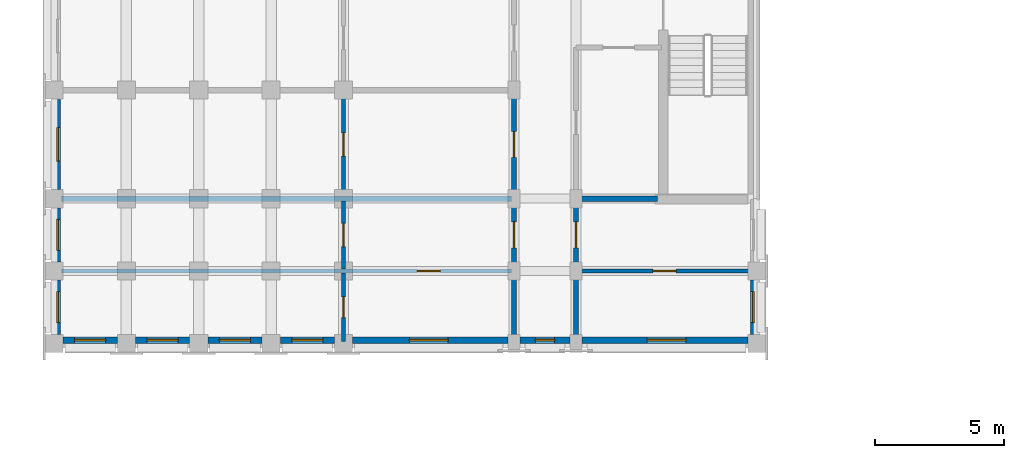
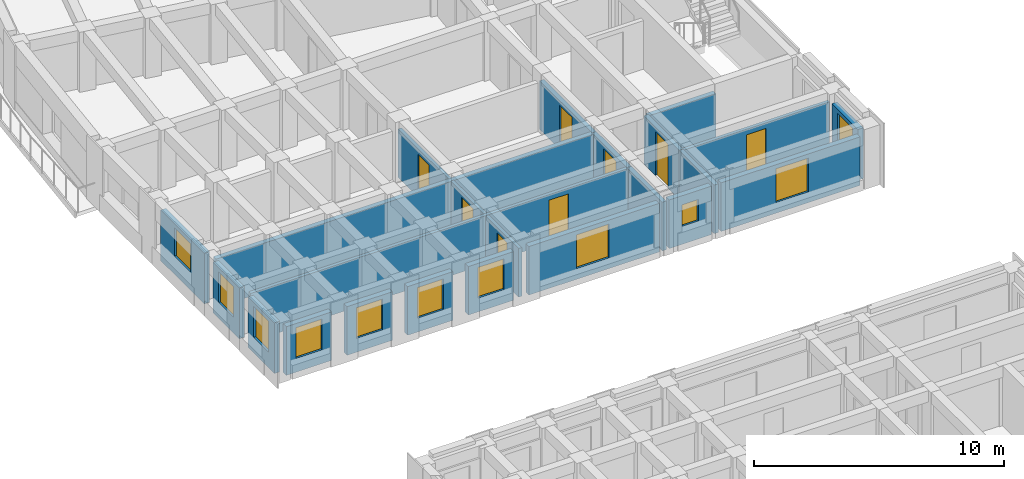
# One storey, part 23 of 57: 23 walls, 11 windows, 8 doors, 19 openings.
"""IFC4 building model written with IfcOpenShell, lengths in metres."""

from ifc_helpers import new_model, si_unit, direction, frame, frame_2d, origin, place, context, subcontext, project, spatial, rectangle, extrude, material, layer, layer_set, type_object, element, fill, save


model = new_model("IFC4")

# Units and contexts
model_context = context("Model", 3, precision=1e-05, world=origin(), true_north=direction((0.0, 1.0)))
body_context = subcontext(model_context, "Body", "Model", "MODEL_VIEW")
ifc_project = project(units=[si_unit("LENGTHUNIT", "METRE"), si_unit("AREAUNIT", "SQUARE_METRE"), si_unit("VOLUMEUNIT", "CUBIC_METRE"), si_unit("PLANEANGLEUNIT", "RADIAN"), si_unit("MASSUNIT", "GRAM", prefix="KILO")], contexts=[model_context])

# Site, building, storey
site_placement = place(None, origin())
site = spatial("IfcSite", under=ifc_project, at=site_placement, CompositionType="ELEMENT")
building_placement = place(site_placement, origin())
building = spatial("IfcBuilding", under=site, at=building_placement, Name="Kiranvali Square Residences", CompositionType="ELEMENT")
storey_placement = place(building_placement, frame((0.0, 0.0, 18.14990234375)))
storey = spatial("IfcBuildingStorey", under=building, at=storey_placement, Name="L05", CompositionType="ELEMENT", Elevation=18.14990234375)

# Wall, opening, door
ifc_material_1 = material(Name="Autoclaved aerated concrete blockwork masonry", Category="masonry")
ifc_layer_1 = layer(ifc_material_1, 0.199951171875)
ifc_layer_set_1 = layer_set([ifc_layer_1], Name="Autoclaved aerated concrete blockwork masonry")
wall_type_1 = type_object("IfcWallType", Name="WL-COR-200", PredefinedType="STANDARD", material=ifc_layer_set_1)
wall_1_placement = place(storey_placement, frame((20.0, 83.60009765625, 0.0), z_axis=(0.0, 0.0, 1.0), x_axis=(0.0, -1.0, 0.0)))
wall_1 = element("IfcWall", 1, at=wall_1_placement, inside=storey, type_object=wall_type_1, Name="L05 architectural wall WL-L05-A-A2CF-C1", PredefinedType="STANDARD", context=body_context, shape_type="SweptSolid", body=[
    extrude(rectangle(XDim=4.2001953125, YDim=0.199951171875, at=frame_2d((2.10009765625, 0.0))), origin(), (0.0, 0.0, 1.0), 2.3720703125),
])
opening_1_placement = place(wall_1_placement, frame((1.60009765625, 0.0, 0.0)))
opening_1 = element("IfcOpeningElement", 2, at=opening_1_placement, cuts=wall_1, Name="Opening FD-APT-60", PredefinedType="OPENING", context=body_context, shape_type="SweptSolid", body=[
    extrude(rectangle(XDim=1.0, YDim=2.14990234375, at=frame_2d((0.5, 1.074951171875))), frame((0.0, 0.10986328125, 0.0), z_axis=(0.0, -1.0, 0.0), x_axis=(1.0, 0.0, 0.0)), (0.0, 0.0, 1.0), 0.219970703125),
])
ifc_material_2 = material(Name="Fire-rated acoustic hardwood and mineral-core door assembly", Category="wood")
door_type_1 = type_object("IfcDoorType", Name="DR-APT-1000", OperationType="NOTDEFINED", PredefinedType="DOOR", material=ifc_material_2)
door_1_placement = place(opening_1_placement, origin())
door_1 = element("IfcDoor", 3, at=door_1_placement, inside=storey, type_object=door_type_1, Name="L05 door DR-L05-0387 (DR-APT-1000)", OperationType="SINGLE_SWING_LEFT", OverallHeight=2.14990234375, OverallWidth=1.0, PredefinedType="DOOR", context=body_context, shape_type="SweptSolid", body=[
    extrude(rectangle(XDim=1.0, YDim=2.14990234375, at=frame_2d((0.5, 1.074951171875))), frame((0.0, 0.02490234375, 0.0), z_axis=(0.0, -1.0, 0.0), x_axis=(1.0, 0.0, 0.0)), (0.0, 0.0, 1.0), 0.050048828125),
])
fill(opening_1, door_1)

wall_2_placement = place(storey_placement, frame((22.39990234375, 79.39990234375, 0.0), z_axis=(0.0, 0.0, 1.0), x_axis=(0.0, -1.0, 0.0)))
wall_2 = element("IfcWall", 4, at=wall_2_placement, inside=storey, type_object=wall_type_1, Name="L05 architectural wall WL-L05-A-A2CI-0", PredefinedType="STANDARD", context=body_context, shape_type="SweptSolid", body=[
    extrude(rectangle(XDim=2.7998046875, YDim=0.199951171875, at=frame_2d((1.39990234375, 0.0))), origin(), (0.0, 0.0, 1.0), 2.3720703125),
])
opening_2_placement = place(wall_2_placement, frame((0.89990234375, 0.0, 0.0)))
opening_2 = element("IfcOpeningElement", 5, at=opening_2_placement, cuts=wall_2, Name="Opening FD-APT-60", PredefinedType="OPENING", context=body_context, shape_type="SweptSolid", body=[
    extrude(rectangle(XDim=1.0, YDim=2.14990234375, at=frame_2d((0.5, 1.074951171875))), frame((0.0, 0.10986328125, 0.0), z_axis=(0.0, -1.0, 0.0), x_axis=(1.0, 0.0, 0.0)), (0.0, 0.0, 1.0), 0.219970703125),
])
door_2_placement = place(opening_2_placement, origin())
door_2 = element("IfcDoor", 6, at=door_2_placement, inside=storey, type_object=door_type_1, Name="L05 door DR-L05-0389 (DR-APT-1000)", OperationType="SINGLE_SWING_LEFT", OverallHeight=2.14990234375, OverallWidth=1.0, PredefinedType="DOOR", context=body_context, shape_type="SweptSolid", body=[
    extrude(rectangle(XDim=1.0, YDim=2.14990234375, at=frame_2d((0.5, 1.074951171875))), frame((0.0, 0.02490234375, 0.0), z_axis=(0.0, -1.0, 0.0), x_axis=(1.0, 0.0, 0.0)), (0.0, 0.0, 1.0), 0.050048828125),
])
fill(opening_2, door_2)

wall_3_placement = place(storey_placement, frame((20.0, 79.39990234375, 0.0), z_axis=(0.0, 0.0, 1.0), x_axis=(0.0, -1.0, 0.0)))
wall_3 = element("IfcWall", 7, at=wall_3_placement, inside=storey, type_object=wall_type_1, Name="L05 architectural wall WL-L05-A-A2CO-0", PredefinedType="STANDARD", context=body_context, shape_type="SweptSolid", body=[
    extrude(rectangle(XDim=2.7998046875, YDim=0.199951171875, at=frame_2d((1.39990234375, 0.0))), origin(), (0.0, 0.0, 1.0), 2.3720703125),
])
opening_3_placement = place(wall_3_placement, frame((0.89990234375, 0.0, 0.0)))
opening_3 = element("IfcOpeningElement", 8, at=opening_3_placement, cuts=wall_3, Name="Opening FD-APT-60", PredefinedType="OPENING", context=body_context, shape_type="SweptSolid", body=[
    extrude(rectangle(XDim=1.0, YDim=2.14990234375, at=frame_2d((0.5, 1.074951171875))), frame((0.0, 0.10986328125, 0.0), z_axis=(0.0, -1.0, 0.0), x_axis=(1.0, 0.0, 0.0)), (0.0, 0.0, 1.0), 0.219970703125),
])
door_3_placement = place(opening_3_placement, origin())
door_3 = element("IfcDoor", 9, at=door_3_placement, inside=storey, type_object=door_type_1, Name="L05 door DR-L05-0391 (DR-APT-1000)", OperationType="SINGLE_SWING_LEFT", OverallHeight=2.14990234375, OverallWidth=1.0, PredefinedType="DOOR", context=body_context, shape_type="SweptSolid", body=[
    extrude(rectangle(XDim=1.0, YDim=2.14990234375, at=frame_2d((0.5, 1.074951171875))), frame((0.0, 0.02490234375, 0.0), z_axis=(0.0, -1.0, 0.0), x_axis=(1.0, 0.0, 0.0)), (0.0, 0.0, 1.0), 0.050048828125),
])
fill(opening_3, door_3)

# Walls
for number, where, z_axis, x_axis, name in (
    (10, (22.39990234375, 76.60009765625, 0.0), (0.0, 0.0, 1.0), (0.0, -1.0, 0.0), "L05 architectural wall WL-L05-A-A2CI-1"),
    (11, (20.0, 76.60009765625, 0.0), (0.0, 0.0, 1.0), (0.0, -1.0, 0.0), "L05 architectural wall WL-L05-A-A2CO-1"),
):
    element("IfcWall", number, at=place(storey_placement, frame(where, z_axis=z_axis, x_axis=x_axis)), inside=storey, type_object=wall_type_1, Name=name, PredefinedType="STANDARD", context=body_context, shape_type="SweptSolid", body=[
        extrude(rectangle(XDim=2.800048828125, YDim=0.199951171875, at=frame_2d((1.39990234375, 0.0))), origin(), (0.0, 0.0, 1.0), 2.3720703125),
    ])
ifc_layer_2 = layer(ifc_material_1, 0.219970703125)
ifc_layer_set_2 = layer_set([ifc_layer_2], Name="Autoclaved aerated concrete blockwork masonry")
wall_type_2 = type_object("IfcWallType", Name="WL-DEM-220", PredefinedType="STANDARD", material=ifc_layer_set_2)
wall_4_placement = place(storey_placement, frame((25.550048828125, 79.39990234375, 0.0), z_axis=(0.0, 0.0, 1.0), x_axis=(-1.0, 0.0, 0.0)))
element("IfcWall", 12, at=wall_4_placement, inside=storey, type_object=wall_type_2, Name="L05 architectural wall WL-L05-A-A2TI-0", PredefinedType="STANDARD", context=body_context, shape_type="SweptSolid", body=[
    extrude(rectangle(XDim=3.10009765625, YDim=0.219970703125, at=frame_2d((1.550048828125, 0.0))), origin(), (0.0, 0.0, 1.0), 2.3720703125),
])
wall_5_placement = place(storey_placement, frame((19.89990234375, 79.39990234375, 0.0), z_axis=(0.0, 0.0, 1.0), x_axis=(-1.0, 0.0, 0.0)))
element("IfcWall", 13, at=wall_5_placement, inside=storey, type_object=wall_type_2, Name="L05 architectural wall WL-L05-A-A2TO-0", PredefinedType="STANDARD", context=body_context, shape_type="SweptSolid", body=[
    extrude(rectangle(XDim=17.419921875, YDim=0.219970703125, at=frame_2d((8.7099609375, 0.0))), origin(), (0.0, 0.0, 1.0), 2.3720703125),
])

# Wall, opening, window
ifc_material_3 = material(Name="Breathable lime-rendered clay brick masonry", Category="masonry")
ifc_layer_3 = layer(ifc_material_3, 0.25)
ifc_layer_set_3 = layer_set([ifc_layer_3], Name="Breathable lime-rendered clay brick masonry")
wall_type_3 = type_object("IfcWallType", Name="WL-EXT-250", PredefinedType="STANDARD", material=ifc_layer_set_3)
wall_6_placement = place(storey_placement, frame((2.324951171875, 83.24658203125, 0.0), z_axis=(0.0, 0.0, 1.0), x_axis=(0.0, -1.0, 0.0)))
wall_6 = element("IfcWall", 14, at=wall_6_placement, inside=storey, type_object=wall_type_3, Name="L05 exterior wall A-L05-A2O-1", PredefinedType="STANDARD", context=body_context, shape_type="SweptSolid", body=[
    extrude(rectangle(XDim=3.4931640625, YDim=0.25, at=frame_2d((1.74658203125, 0.0))), origin(), (0.0, 0.0, 1.0), 2.47216796875),
])
opening_4_placement = place(wall_6_placement, frame((1.096435546875, 0.0, 0.8798828125)))
opening_4 = element("IfcOpeningElement", 15, at=opening_4_placement, cuts=wall_6, Name="Opening W-23", PredefinedType="OPENING", context=body_context, shape_type="SweptSolid", body=[
    extrude(rectangle(XDim=1.300048828125, YDim=1.39990234375, at=frame_2d((0.64990234375, 0.699951171875))), frame((0.0, 0.135009765625, 0.0), z_axis=(0.0, -1.0, 0.0), x_axis=(1.0, 0.0, 0.0)), (0.0, 0.0, 1.0), 0.27001953125),
])
ifc_material_4 = material(Name="Solar-control low-e double glazing", Category="glass")
window_type_1 = type_object("IfcWindowType", Name="WIN-COR-1300x1400", PartitioningType="DOUBLE_PANEL_HORIZONTAL", PredefinedType="WINDOW", material=ifc_material_4)
window_1_placement = place(opening_4_placement, origin())
window_1 = element("IfcWindow", 16, at=window_1_placement, inside=storey, type_object=window_type_1, Name="L05 recessed window A-L05-A2O-1", OverallHeight=1.39990234375, OverallWidth=1.300048828125, PartitioningType="DOUBLE_PANEL_HORIZONTAL", PredefinedType="WINDOW", context=body_context, shape_type="SweptSolid", body=[
    extrude(rectangle(XDim=1.300048828125, YDim=1.39990234375, at=frame_2d((0.64990234375, 0.699951171875))), frame((0.0, 0.030029296875, 0.0), z_axis=(0.0, -1.0, 0.0), x_axis=(1.0, 0.0, 0.0)), (0.0, 0.0, 1.0), 0.06005859375),
])
fill(opening_4, window_1)

wall_7_placement = place(storey_placement, frame((2.324951171875, 79.04638671875, 0.0), z_axis=(0.0, 0.0, 1.0), x_axis=(0.0, -1.0, 0.0)))
wall_7 = element("IfcWall", 17, at=wall_7_placement, inside=storey, type_object=wall_type_3, Name="L05 exterior wall A-L05-A2O-2", PredefinedType="STANDARD", context=body_context, shape_type="SweptSolid", body=[
    extrude(rectangle(XDim=2.0927734375, YDim=0.25, at=frame_2d((1.04638671875, 0.0))), origin(), (0.0, 0.0, 1.0), 2.47216796875),
])
opening_5_placement = place(wall_7_placement, frame((0.446533203125, 0.0, 0.77197265625)))
opening_5 = element("IfcOpeningElement", 18, at=opening_5_placement, cuts=wall_7, Name="Opening W-06", PredefinedType="OPENING", context=body_context, shape_type="SweptSolid", body=[
    extrude(rectangle(XDim=1.199951171875, YDim=1.5, at=frame_2d((0.60009765625, 0.75))), frame((0.0, 0.135009765625, 0.0), z_axis=(0.0, -1.0, 0.0), x_axis=(1.0, 0.0, 0.0)), (0.0, 0.0, 1.0), 0.27001953125),
])
window_type_2 = type_object("IfcWindowType", Name="WIN-RES-1200x1500", PartitioningType="SINGLE_PANEL", PredefinedType="WINDOW", material=ifc_material_4)
window_2_placement = place(opening_5_placement, origin())
window_2 = element("IfcWindow", 19, at=window_2_placement, inside=storey, type_object=window_type_2, Name="L05 recessed window A-L05-A2O-2", OverallHeight=1.5, OverallWidth=1.199951171875, PartitioningType="SINGLE_PANEL", PredefinedType="WINDOW", context=body_context, shape_type="SweptSolid", body=[
    extrude(rectangle(XDim=1.199951171875, YDim=1.5, at=frame_2d((0.60009765625, 0.75))), frame((0.0, 0.030029296875, 0.0), z_axis=(0.0, -1.0, 0.0), x_axis=(1.0, 0.0, 0.0)), (0.0, 0.0, 1.0), 0.06005859375),
])
fill(opening_5, window_2)

wall_8_placement = place(storey_placement, frame((2.324951171875, 76.24658203125, 0.0), z_axis=(0.0, 0.0, 1.0), x_axis=(0.0, -1.0, 0.0)))
wall_8 = element("IfcWall", 20, at=wall_8_placement, inside=storey, type_object=wall_type_3, Name="L05 exterior wall A-L05-A2O-3", PredefinedType="STANDARD", context=body_context, shape_type="SweptSolid", body=[
    extrude(rectangle(XDim=2.093017578125, YDim=0.25, at=frame_2d((1.04638671875, 0.0))), origin(), (0.0, 0.0, 1.0), 2.47216796875),
])
opening_6_placement = place(wall_8_placement, frame((0.446533203125, 0.0, 0.77197265625)))
opening_6 = element("IfcOpeningElement", 21, at=opening_6_placement, cuts=wall_8, Name="Opening W-06", PredefinedType="OPENING", context=body_context, shape_type="SweptSolid", body=[
    extrude(rectangle(XDim=1.199951171875, YDim=1.5, at=frame_2d((0.60009765625, 0.75))), frame((0.0, 0.135009765625, 0.0), z_axis=(0.0, -1.0, 0.0), x_axis=(1.0, 0.0, 0.0)), (0.0, 0.0, 1.0), 0.27001953125),
])
window_3_placement = place(opening_6_placement, origin())
window_3 = element("IfcWindow", 22, at=window_3_placement, inside=storey, type_object=window_type_2, Name="L05 recessed window A-L05-A2O-3", OverallHeight=1.5, OverallWidth=1.199951171875, PartitioningType="SINGLE_PANEL", PredefinedType="WINDOW", context=body_context, shape_type="SweptSolid", body=[
    extrude(rectangle(XDim=1.199951171875, YDim=1.5, at=frame_2d((0.60009765625, 0.75))), frame((0.0, 0.030029296875, 0.0), z_axis=(0.0, -1.0, 0.0), x_axis=(1.0, 0.0, 0.0)), (0.0, 0.0, 1.0), 0.06005859375),
])
fill(opening_6, window_3)

wall_9_placement = place(storey_placement, frame((29.27490234375, 76.24658203125, 0.0), z_axis=(0.0, 0.0, 1.0), x_axis=(0.0, -1.0, 0.0)))
wall_9 = element("IfcWall", 23, at=wall_9_placement, inside=storey, type_object=wall_type_3, Name="L05 exterior wall A-L05-A2I-1", PredefinedType="STANDARD", context=body_context, shape_type="SweptSolid", body=[
    extrude(rectangle(XDim=2.093017578125, YDim=0.25, at=frame_2d((1.04638671875, 0.0))), origin(), (0.0, 0.0, 1.0), 2.47216796875),
])
opening_7_placement = place(wall_9_placement, frame((0.446533203125, 0.0, 0.77197265625)))
opening_7 = element("IfcOpeningElement", 24, at=opening_7_placement, cuts=wall_9, Name="Opening W-06", PredefinedType="OPENING", context=body_context, shape_type="SweptSolid", body=[
    extrude(rectangle(XDim=1.199951171875, YDim=1.5, at=frame_2d((0.60009765625, 0.75))), frame((0.0, 0.135009765625, 0.0), z_axis=(0.0, -1.0, 0.0), x_axis=(1.0, 0.0, 0.0)), (0.0, 0.0, 1.0), 0.27001953125),
])
window_4_placement = place(opening_7_placement, origin())
window_4 = element("IfcWindow", 25, at=window_4_placement, inside=storey, type_object=window_type_2, Name="L05 recessed window A-L05-A2I-1", OverallHeight=1.5, OverallWidth=1.199951171875, PartitioningType="SINGLE_PANEL", PredefinedType="WINDOW", context=body_context, shape_type="SweptSolid", body=[
    extrude(rectangle(XDim=1.199951171875, YDim=1.5, at=frame_2d((0.60009765625, 0.75))), frame((0.0, 0.030029296875, 0.0), z_axis=(0.0, -1.0, 0.0), x_axis=(1.0, 0.0, 0.0)), (0.0, 0.0, 1.0), 0.06005859375),
])
fill(opening_7, window_4)

wall_10_placement = place(storey_placement, frame((29.04638671875, 73.925048828125, 0.0), z_axis=(0.0, 0.0, 1.0), x_axis=(-1.0, 0.0, 0.0)))
wall_10 = element("IfcWall", 26, at=wall_10_placement, inside=storey, type_object=wall_type_3, Name="L05 exterior wall A-L05-A2END-0", PredefinedType="STANDARD", context=body_context, shape_type="SweptSolid", body=[
    extrude(rectangle(XDim=6.41796875, YDim=0.25, at=frame_2d((3.208984375, 0.0))), origin(), (0.0, 0.0, 1.0), 2.3720703125),
])
opening_8_placement = place(wall_10_placement, frame((2.396484375, 0.0, 0.52197265625)))
opening_8 = element("IfcOpeningElement", 27, at=opening_8_placement, cuts=wall_10, Name="Opening W-05", PredefinedType="OPENING", context=body_context, shape_type="SweptSolid", body=[
    extrude(rectangle(XDim=1.5, YDim=1.64990234375, at=frame_2d((0.75, 0.824951171875))), frame((0.0, 0.135009765625, 0.0), z_axis=(0.0, -1.0, 0.0), x_axis=(1.0, 0.0, 0.0)), (0.0, 0.0, 1.0), 0.27001953125),
])
window_type_3 = type_object("IfcWindowType", Name="WIN-RES-1500x1650", PartitioningType="DOUBLE_PANEL_VERTICAL", PredefinedType="WINDOW", material=ifc_material_4)
window_5_placement = place(opening_8_placement, origin())
window_5 = element("IfcWindow", 28, at=window_5_placement, inside=storey, type_object=window_type_3, Name="L05 recessed window A-L05-A2END-0", OverallHeight=1.64990234375, OverallWidth=1.5, PartitioningType="DOUBLE_PANEL_VERTICAL", PredefinedType="WINDOW", context=body_context, shape_type="SweptSolid", body=[
    extrude(rectangle(XDim=1.5, YDim=1.64990234375, at=frame_2d((0.75, 0.824951171875))), frame((0.0, 0.030029296875, 0.0), z_axis=(0.0, -1.0, 0.0), x_axis=(1.0, 0.0, 0.0)), (0.0, 0.0, 1.0), 0.06005859375),
])
fill(opening_8, window_5)

wall_11_placement = place(storey_placement, frame((22.17138671875, 73.925048828125, 0.0), z_axis=(0.0, 0.0, 1.0), x_axis=(-1.0, 0.0, 0.0)))
wall_11 = element("IfcWall", 29, at=wall_11_placement, inside=storey, type_object=wall_type_3, Name="L05 exterior wall A-L05-A2END-1", PredefinedType="STANDARD", context=body_context, shape_type="SweptSolid", body=[
    extrude(rectangle(XDim=1.94287109375, YDim=0.25, at=frame_2d((0.971435546875, 0.0))), origin(), (0.0, 0.0, 1.0), 2.3720703125),
])
opening_9_placement = place(wall_11_placement, frame((0.596435546875, 0.0, 0.8798828125)))
opening_9 = element("IfcOpeningElement", 30, at=opening_9_placement, cuts=wall_11, Name="Opening W-07", PredefinedType="OPENING", context=body_context, shape_type="SweptSolid", body=[
    extrude(rectangle(XDim=0.75, YDim=1.050048828125, at=frame_2d((0.375, 0.52490234375))), frame((0.0, 0.135009765625, 0.0), z_axis=(0.0, -1.0, 0.0), x_axis=(1.0, 0.0, 0.0)), (0.0, 0.0, 1.0), 0.27001953125),
])
window_type_4 = type_object("IfcWindowType", Name="WIN-WET-750x1050", PartitioningType="SINGLE_PANEL", PredefinedType="WINDOW", material=ifc_material_4)
window_6_placement = place(opening_9_placement, origin())
window_6 = element("IfcWindow", 31, at=window_6_placement, inside=storey, type_object=window_type_4, Name="L05 recessed window A-L05-A2END-1", OverallHeight=1.050048828125, OverallWidth=0.75, PartitioningType="SINGLE_PANEL", PredefinedType="WINDOW", context=body_context, shape_type="SweptSolid", body=[
    extrude(rectangle(XDim=0.75, YDim=1.050048828125, at=frame_2d((0.375, 0.52490234375))), frame((0.0, 0.030029296875, 0.0), z_axis=(0.0, -1.0, 0.0), x_axis=(1.0, 0.0, 0.0)), (0.0, 0.0, 1.0), 0.06005859375),
])
fill(opening_9, window_6)

wall_12_placement = place(storey_placement, frame((19.771484375, 73.925048828125, 0.0), z_axis=(0.0, 0.0, 1.0), x_axis=(-1.0, 0.0, 0.0)))
wall_12 = element("IfcWall", 32, at=wall_12_placement, inside=storey, type_object=wall_type_3, Name="L05 exterior wall A-L05-A2END-2", PredefinedType="STANDARD", context=body_context, shape_type="SweptSolid", body=[
    extrude(rectangle(XDim=6.01806640625, YDim=0.25, at=frame_2d((3.009033203125, 0.0))), origin(), (0.0, 0.0, 1.0), 2.3720703125),
])
opening_10_placement = place(wall_12_placement, frame((2.321533203125, 0.0, 0.52197265625)))
opening_10 = element("IfcOpeningElement", 33, at=opening_10_placement, cuts=wall_12, Name="Opening W-05", PredefinedType="OPENING", context=body_context, shape_type="SweptSolid", body=[
    extrude(rectangle(XDim=1.5, YDim=1.64990234375, at=frame_2d((0.75, 0.824951171875))), frame((0.0, 0.135009765625, 0.0), z_axis=(0.0, -1.0, 0.0), x_axis=(1.0, 0.0, 0.0)), (0.0, 0.0, 1.0), 0.27001953125),
])
window_7_placement = place(opening_10_placement, origin())
window_7 = element("IfcWindow", 34, at=window_7_placement, inside=storey, type_object=window_type_3, Name="L05 recessed window A-L05-A2END-2", OverallHeight=1.64990234375, OverallWidth=1.5, PartitioningType="DOUBLE_PANEL_VERTICAL", PredefinedType="WINDOW", context=body_context, shape_type="SweptSolid", body=[
    extrude(rectangle(XDim=1.5, YDim=1.64990234375, at=frame_2d((0.75, 0.824951171875))), frame((0.0, 0.030029296875, 0.0), z_axis=(0.0, -1.0, 0.0), x_axis=(1.0, 0.0, 0.0)), (0.0, 0.0, 1.0), 0.06005859375),
])
fill(opening_10, window_7)

wall_13_placement = place(storey_placement, frame((13.04638671875, 73.925048828125, 0.0), z_axis=(0.0, 0.0, 1.0), x_axis=(-1.0, 0.0, 0.0)))
wall_13 = element("IfcWall", 35, at=wall_13_placement, inside=storey, type_object=wall_type_3, Name="L05 exterior wall A-L05-A2END-3", PredefinedType="STANDARD", context=body_context, shape_type="SweptSolid", body=[
    extrude(rectangle(XDim=2.0927734375, YDim=0.25, at=frame_2d((1.04638671875, 0.0))), origin(), (0.0, 0.0, 1.0), 2.3720703125),
])
opening_11_placement = place(wall_13_placement, frame((0.446533203125, 0.0, 0.672119140625)))
opening_11 = element("IfcOpeningElement", 36, at=opening_11_placement, cuts=wall_13, Name="Opening W-06", PredefinedType="OPENING", context=body_context, shape_type="SweptSolid", body=[
    extrude(rectangle(XDim=1.199951171875, YDim=1.5, at=frame_2d((0.60009765625, 0.75))), frame((0.0, 0.135009765625, 0.0), z_axis=(0.0, -1.0, 0.0), x_axis=(1.0, 0.0, 0.0)), (0.0, 0.0, 1.0), 0.27001953125),
])
window_8_placement = place(opening_11_placement, origin())
window_8 = element("IfcWindow", 37, at=window_8_placement, inside=storey, type_object=window_type_2, Name="L05 recessed window A-L05-A2END-3", OverallHeight=1.5, OverallWidth=1.199951171875, PartitioningType="SINGLE_PANEL", PredefinedType="WINDOW", context=body_context, shape_type="SweptSolid", body=[
    extrude(rectangle(XDim=1.199951171875, YDim=1.5, at=frame_2d((0.60009765625, 0.75))), frame((0.0, 0.030029296875, 0.0), z_axis=(0.0, -1.0, 0.0), x_axis=(1.0, 0.0, 0.0)), (0.0, 0.0, 1.0), 0.06005859375),
])
fill(opening_11, window_8)

wall_14_placement = place(storey_placement, frame((10.24658203125, 73.925048828125, 0.0), z_axis=(0.0, 0.0, 1.0), x_axis=(-1.0, 0.0, 0.0)))
wall_14 = element("IfcWall", 38, at=wall_14_placement, inside=storey, type_object=wall_type_3, Name="L05 exterior wall A-L05-A2END-4", PredefinedType="STANDARD", context=body_context, shape_type="SweptSolid", body=[
    extrude(rectangle(XDim=2.093017578125, YDim=0.25, at=frame_2d((1.04638671875, 0.0))), origin(), (0.0, 0.0, 1.0), 2.3720703125),
])
opening_12_placement = place(wall_14_placement, frame((0.446533203125, 0.0, 0.672119140625)))
opening_12 = element("IfcOpeningElement", 39, at=opening_12_placement, cuts=wall_14, Name="Opening W-06", PredefinedType="OPENING", context=body_context, shape_type="SweptSolid", body=[
    extrude(rectangle(XDim=1.199951171875, YDim=1.5, at=frame_2d((0.60009765625, 0.75))), frame((0.0, 0.135009765625, 0.0), z_axis=(0.0, -1.0, 0.0), x_axis=(1.0, 0.0, 0.0)), (0.0, 0.0, 1.0), 0.27001953125),
])
window_9_placement = place(opening_12_placement, origin())
window_9 = element("IfcWindow", 40, at=window_9_placement, inside=storey, type_object=window_type_2, Name="L05 recessed window A-L05-A2END-4", OverallHeight=1.5, OverallWidth=1.199951171875, PartitioningType="SINGLE_PANEL", PredefinedType="WINDOW", context=body_context, shape_type="SweptSolid", body=[
    extrude(rectangle(XDim=1.199951171875, YDim=1.5, at=frame_2d((0.60009765625, 0.75))), frame((0.0, 0.030029296875, 0.0), z_axis=(0.0, -1.0, 0.0), x_axis=(1.0, 0.0, 0.0)), (0.0, 0.0, 1.0), 0.06005859375),
])
fill(opening_12, window_9)

wall_15_placement = place(storey_placement, frame((7.446533203125, 73.925048828125, 0.0), z_axis=(0.0, 0.0, 1.0), x_axis=(-1.0, 0.0, 0.0)))
wall_15 = element("IfcWall", 41, at=wall_15_placement, inside=storey, type_object=wall_type_3, Name="L05 exterior wall A-L05-A2END-5", PredefinedType="STANDARD", context=body_context, shape_type="SweptSolid", body=[
    extrude(rectangle(XDim=2.093017578125, YDim=0.25, at=frame_2d((1.04638671875, 0.0))), origin(), (0.0, 0.0, 1.0), 2.3720703125),
])
opening_13_placement = place(wall_15_placement, frame((0.446533203125, 0.0, 0.672119140625)))
opening_13 = element("IfcOpeningElement", 42, at=opening_13_placement, cuts=wall_15, Name="Opening W-06", PredefinedType="OPENING", context=body_context, shape_type="SweptSolid", body=[
    extrude(rectangle(XDim=1.199951171875, YDim=1.5, at=frame_2d((0.60009765625, 0.75))), frame((0.0, 0.135009765625, 0.0), z_axis=(0.0, -1.0, 0.0), x_axis=(1.0, 0.0, 0.0)), (0.0, 0.0, 1.0), 0.27001953125),
])
window_10_placement = place(opening_13_placement, origin())
window_10 = element("IfcWindow", 43, at=window_10_placement, inside=storey, type_object=window_type_2, Name="L05 recessed window A-L05-A2END-5", OverallHeight=1.5, OverallWidth=1.199951171875, PartitioningType="SINGLE_PANEL", PredefinedType="WINDOW", context=body_context, shape_type="SweptSolid", body=[
    extrude(rectangle(XDim=1.199951171875, YDim=1.5, at=frame_2d((0.60009765625, 0.75))), frame((0.0, 0.030029296875, 0.0), z_axis=(0.0, -1.0, 0.0), x_axis=(1.0, 0.0, 0.0)), (0.0, 0.0, 1.0), 0.06005859375),
])
fill(opening_13, window_10)

wall_16_placement = place(storey_placement, frame((4.646484375, 73.925048828125, 0.0), z_axis=(0.0, 0.0, 1.0), x_axis=(-1.0, 0.0, 0.0)))
wall_16 = element("IfcWall", 44, at=wall_16_placement, inside=storey, type_object=wall_type_3, Name="L05 exterior wall A-L05-A2END-6", PredefinedType="STANDARD", context=body_context, shape_type="SweptSolid", body=[
    extrude(rectangle(XDim=2.093017578125, YDim=0.25, at=frame_2d((1.04638671875, 0.0))), origin(), (0.0, 0.0, 1.0), 2.3720703125),
])
opening_14_placement = place(wall_16_placement, frame((0.446533203125, 0.0, 0.672119140625)))
opening_14 = element("IfcOpeningElement", 45, at=opening_14_placement, cuts=wall_16, Name="Opening W-06", PredefinedType="OPENING", context=body_context, shape_type="SweptSolid", body=[
    extrude(rectangle(XDim=1.199951171875, YDim=1.5, at=frame_2d((0.60009765625, 0.75))), frame((0.0, 0.135009765625, 0.0), z_axis=(0.0, -1.0, 0.0), x_axis=(1.0, 0.0, 0.0)), (0.0, 0.0, 1.0), 0.27001953125),
])
window_11_placement = place(opening_14_placement, origin())
window_11 = element("IfcWindow", 46, at=window_11_placement, inside=storey, type_object=window_type_2, Name="L05 recessed window A-L05-A2END-6", OverallHeight=1.5, OverallWidth=1.199951171875, PartitioningType="SINGLE_PANEL", PredefinedType="WINDOW", context=body_context, shape_type="SweptSolid", body=[
    extrude(rectangle(XDim=1.199951171875, YDim=1.5, at=frame_2d((0.60009765625, 0.75))), frame((0.0, 0.030029296875, 0.0), z_axis=(0.0, -1.0, 0.0), x_axis=(1.0, 0.0, 0.0)), (0.0, 0.0, 1.0), 0.06005859375),
])
fill(opening_14, window_11)

# Wall, opening, door
ifc_material_5 = material(Name="Acoustic gypsum board drylined partition", Category="gypsum")
ifc_layer_4 = layer(ifc_material_5, 0.14990234375)
ifc_layer_set_4 = layer_set([ifc_layer_4], Name="Acoustic gypsum board drylined partition")
wall_type_4 = type_object("IfcWallType", Name="WL-PRT-150", PredefinedType="PARTITIONING", material=ifc_layer_set_4)
wall_17_placement = place(storey_placement, frame((13.39990234375, 83.52001953125, 0.0), z_axis=(0.0, 0.0, 1.0), x_axis=(0.0, -1.0, 0.0)))
wall_17 = element("IfcWall", 47, at=wall_17_placement, inside=storey, type_object=wall_type_4, Name="L05 architectural wall WL-L05-A-A2CF-SP1", PredefinedType="PARTITIONING", context=body_context, shape_type="SweptSolid", body=[
    extrude(rectangle(XDim=4.0400390625, YDim=0.14990234375, at=frame_2d((2.02001953125, 0.0))), origin(), (0.0, 0.0, 1.0), 2.3720703125),
])
opening_15_placement = place(wall_17_placement, frame((1.570068359375, 0.0, 0.0)))
opening_15 = element("IfcOpeningElement", 48, at=opening_15_placement, cuts=wall_17, Name="Opening ID-1", PredefinedType="OPENING", context=body_context, shape_type="SweptSolid", body=[
    extrude(rectangle(XDim=0.89990234375, YDim=2.10009765625, at=frame_2d((0.449951171875, 1.050048828125))), frame((0.0, 0.0849609375, 0.0), z_axis=(0.0, -1.0, 0.0), x_axis=(1.0, 0.0, 0.0)), (0.0, 0.0, 1.0), 0.169921875),
])
ifc_material_6 = material(Name="Solid seasoned teak hardwood joinery", Category="wood")
door_type_2 = type_object("IfcDoorType", Name="DR-INT-900", OperationType="NOTDEFINED", PredefinedType="DOOR", material=ifc_material_6)
door_4_placement = place(opening_15_placement, frame((0.89990234375, 0.0, 0.0), z_axis=(0.0, 0.0, 1.0), x_axis=(-1.0, 0.0, 0.0)))
door_4 = element("IfcDoor", 49, at=door_4_placement, inside=storey, type_object=door_type_2, Name="L05 door DR-L05-0388 (DR-INT-900)", OperationType="SINGLE_SWING_RIGHT", OverallHeight=2.10009765625, OverallWidth=0.89990234375, PredefinedType="DOOR", context=body_context, shape_type="SweptSolid", body=[
    extrude(rectangle(XDim=0.89990234375, YDim=2.10009765625, at=frame_2d((0.449951171875, 1.050048828125))), frame((0.0, 0.02490234375, 0.0), z_axis=(0.0, -1.0, 0.0), x_axis=(1.0, 0.0, 0.0)), (0.0, 0.0, 1.0), 0.050048828125),
])
fill(opening_15, door_4)

wall_18_placement = place(storey_placement, frame((29.199951171875, 76.60009765625, 0.0), z_axis=(0.0, 0.0, 1.0), x_axis=(-1.0, 0.0, 0.0)))
wall_18 = element("IfcWall", 50, at=wall_18_placement, inside=storey, type_object=wall_type_4, Name="L05 architectural wall WL-L05-A-A2TI-1", PredefinedType="PARTITIONING", context=body_context, shape_type="SweptSolid", body=[
    extrude(rectangle(XDim=6.75, YDim=0.14990234375, at=frame_2d((3.375, 0.0))), origin(), (0.0, 0.0, 1.0), 2.3720703125),
])
opening_16_placement = place(wall_18_placement, frame((2.925048828125, 0.0, 0.0)))
opening_16 = element("IfcOpeningElement", 51, at=opening_16_placement, cuts=wall_18, Name="Opening ID-1", PredefinedType="OPENING", context=body_context, shape_type="SweptSolid", body=[
    extrude(rectangle(XDim=0.89990234375, YDim=2.10009765625, at=frame_2d((0.449951171875, 1.050048828125))), frame((0.0, 0.0849609375, 0.0), z_axis=(0.0, -1.0, 0.0), x_axis=(1.0, 0.0, 0.0)), (0.0, 0.0, 1.0), 0.169921875),
])
door_5_placement = place(opening_16_placement, origin())
door_5 = element("IfcDoor", 52, at=door_5_placement, inside=storey, type_object=door_type_2, Name="L05 door DR-L05-0393 (DR-INT-900)", OperationType="SINGLE_SWING_LEFT", OverallHeight=2.10009765625, OverallWidth=0.89990234375, PredefinedType="DOOR", context=body_context, shape_type="SweptSolid", body=[
    extrude(rectangle(XDim=0.89990234375, YDim=2.10009765625, at=frame_2d((0.449951171875, 1.050048828125))), frame((0.0, 0.02490234375, 0.0), z_axis=(0.0, -1.0, 0.0), x_axis=(1.0, 0.0, 0.0)), (0.0, 0.0, 1.0), 0.050048828125),
])
fill(opening_16, door_5)

wall_19_placement = place(storey_placement, frame((19.89990234375, 76.60009765625, 0.0), z_axis=(0.0, 0.0, 1.0), x_axis=(-1.0, 0.0, 0.0)))
wall_19 = element("IfcWall", 53, at=wall_19_placement, inside=storey, type_object=wall_type_4, Name="L05 architectural wall WL-L05-A-A2TO-1", PredefinedType="PARTITIONING", context=body_context, shape_type="SweptSolid", body=[
    extrude(rectangle(XDim=17.419921875, YDim=0.14990234375, at=frame_2d((8.7099609375, 0.0))), origin(), (0.0, 0.0, 1.0), 2.3720703125),
])
opening_17_placement = place(wall_19_placement, frame((2.75, 0.0, 0.0)))
opening_17 = element("IfcOpeningElement", 54, at=opening_17_placement, cuts=wall_19, Name="Opening ID-1", PredefinedType="OPENING", context=body_context, shape_type="SweptSolid", body=[
    extrude(rectangle(XDim=0.89990234375, YDim=2.10009765625, at=frame_2d((0.449951171875, 1.050048828125))), frame((0.0, 0.0849609375, 0.0), z_axis=(0.0, -1.0, 0.0), x_axis=(1.0, 0.0, 0.0)), (0.0, 0.0, 1.0), 0.169921875),
])
door_6_placement = place(opening_17_placement, frame((0.89990234375, 0.0, 0.0), z_axis=(0.0, 0.0, 1.0), x_axis=(-1.0, 0.0, 0.0)))
door_6 = element("IfcDoor", 55, at=door_6_placement, inside=storey, type_object=door_type_2, Name="L05 door DR-L05-0394 (DR-INT-900)", OperationType="SINGLE_SWING_RIGHT", OverallHeight=2.10009765625, OverallWidth=0.89990234375, PredefinedType="DOOR", context=body_context, shape_type="SweptSolid", body=[
    extrude(rectangle(XDim=0.89990234375, YDim=2.10009765625, at=frame_2d((0.449951171875, 1.050048828125))), frame((0.0, 0.02490234375, 0.0), z_axis=(0.0, -1.0, 0.0), x_axis=(1.0, 0.0, 0.0)), (0.0, 0.0, 1.0), 0.050048828125),
])
fill(opening_17, door_6)

ifc_layer_5 = layer(ifc_material_1, 0.14990234375)
ifc_layer_set_5 = layer_set([ifc_layer_5], Name="Autoclaved aerated concrete blockwork masonry")
wall_type_5 = type_object("IfcWallType", Name="WL-WET-150", PredefinedType="PLUMBINGWALL", material=ifc_layer_set_5)
wall_20_placement = place(storey_placement, frame((13.39990234375, 79.320068359375, 0.0), z_axis=(0.0, 0.0, 1.0), x_axis=(0.0, -1.0, 0.0)))
wall_20 = element("IfcWall", 56, at=wall_20_placement, inside=storey, type_object=wall_type_5, Name="L05 architectural wall WL-L05-A-A2SP-0", PredefinedType="PLUMBINGWALL", context=body_context, shape_type="SweptSolid", body=[
    extrude(rectangle(XDim=2.64013671875, YDim=0.14990234375, at=frame_2d((1.320068359375, 0.0))), origin(), (0.0, 0.0, 1.0), 2.3720703125),
])
opening_18_placement = place(wall_20_placement, frame((0.8701171875, 0.0, 0.0)))
opening_18 = element("IfcOpeningElement", 57, at=opening_18_placement, cuts=wall_20, Name="Opening ID-1", PredefinedType="OPENING", context=body_context, shape_type="SweptSolid", body=[
    extrude(rectangle(XDim=0.89990234375, YDim=2.10009765625, at=frame_2d((0.449951171875, 1.050048828125))), frame((0.0, 0.0849609375, 0.0), z_axis=(0.0, -1.0, 0.0), x_axis=(1.0, 0.0, 0.0)), (0.0, 0.0, 1.0), 0.169921875),
])
door_7_placement = place(opening_18_placement, frame((0.89990234375, 0.0, 0.0), z_axis=(0.0, 0.0, 1.0), x_axis=(-1.0, 0.0, 0.0)))
door_7 = element("IfcDoor", 58, at=door_7_placement, inside=storey, type_object=door_type_2, Name="L05 door DR-L05-0390 (DR-INT-900)", OperationType="SINGLE_SWING_RIGHT", OverallHeight=2.10009765625, OverallWidth=0.89990234375, PredefinedType="DOOR", context=body_context, shape_type="SweptSolid", body=[
    extrude(rectangle(XDim=0.89990234375, YDim=2.10009765625, at=frame_2d((0.449951171875, 1.050048828125))), frame((0.0, 0.02490234375, 0.0), z_axis=(0.0, -1.0, 0.0), x_axis=(1.0, 0.0, 0.0)), (0.0, 0.0, 1.0), 0.050048828125),
])
fill(opening_18, door_7)

wall_21_placement = place(storey_placement, frame((13.39990234375, 76.52001953125, 0.0), z_axis=(0.0, 0.0, 1.0), x_axis=(0.0, -1.0, 0.0)))
wall_21 = element("IfcWall", 59, at=wall_21_placement, inside=storey, type_object=wall_type_5, Name="L05 architectural wall WL-L05-A-A2SP-1", PredefinedType="PLUMBINGWALL", context=body_context, shape_type="SweptSolid", body=[
    extrude(rectangle(XDim=2.64013671875, YDim=0.14990234375, at=frame_2d((1.320068359375, 0.0))), origin(), (0.0, 0.0, 1.0), 2.3720703125),
])
opening_19_placement = place(wall_21_placement, frame((0.919921875, 0.0, 0.0)))
opening_19 = element("IfcOpeningElement", 60, at=opening_19_placement, cuts=wall_21, Name="Opening ID-WET", PredefinedType="OPENING", context=body_context, shape_type="SweptSolid", body=[
    extrude(rectangle(XDim=0.800048828125, YDim=2.10009765625, at=frame_2d((0.39990234375, 1.050048828125))), frame((0.0, 0.0849609375, 0.0), z_axis=(0.0, -1.0, 0.0), x_axis=(1.0, 0.0, 0.0)), (0.0, 0.0, 1.0), 0.169921875),
])
door_type_3 = type_object("IfcDoorType", Name="DR-WET-800", OperationType="NOTDEFINED", PredefinedType="DOOR", material=ifc_material_6)
door_8_placement = place(opening_19_placement, frame((0.800048828125, 0.0, 0.0), z_axis=(0.0, 0.0, 1.0), x_axis=(-1.0, 0.0, 0.0)))
door_8 = element("IfcDoor", 61, at=door_8_placement, inside=storey, type_object=door_type_3, Name="L05 door DR-L05-0392 (DR-WET-800)", OperationType="SINGLE_SWING_RIGHT", OverallHeight=2.10009765625, OverallWidth=0.800048828125, PredefinedType="DOOR", context=body_context, shape_type="SweptSolid", body=[
    extrude(rectangle(XDim=0.800048828125, YDim=2.10009765625, at=frame_2d((0.39990234375, 1.050048828125))), frame((0.0, 0.02490234375, 0.0), z_axis=(0.0, -1.0, 0.0), x_axis=(1.0, 0.0, 0.0)), (0.0, 0.0, 1.0), 0.050048828125),
])
fill(opening_19, door_8)

save(model, "model.ifc")
